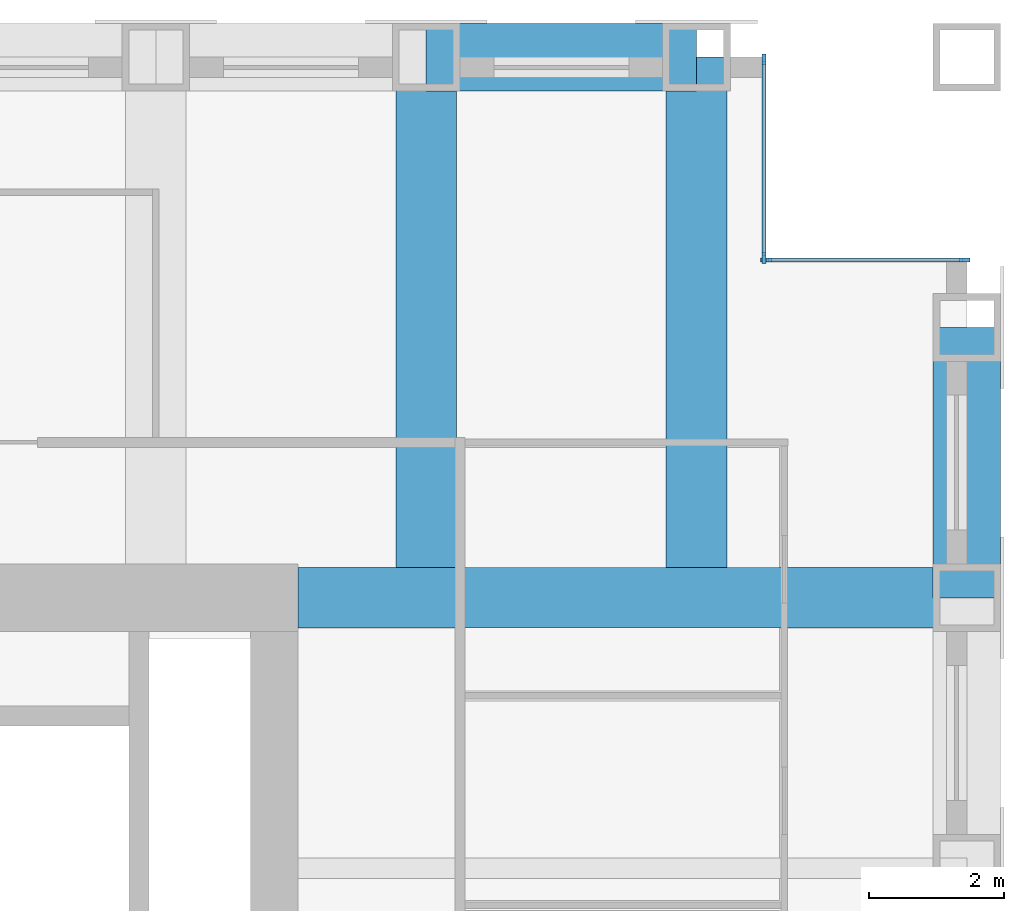
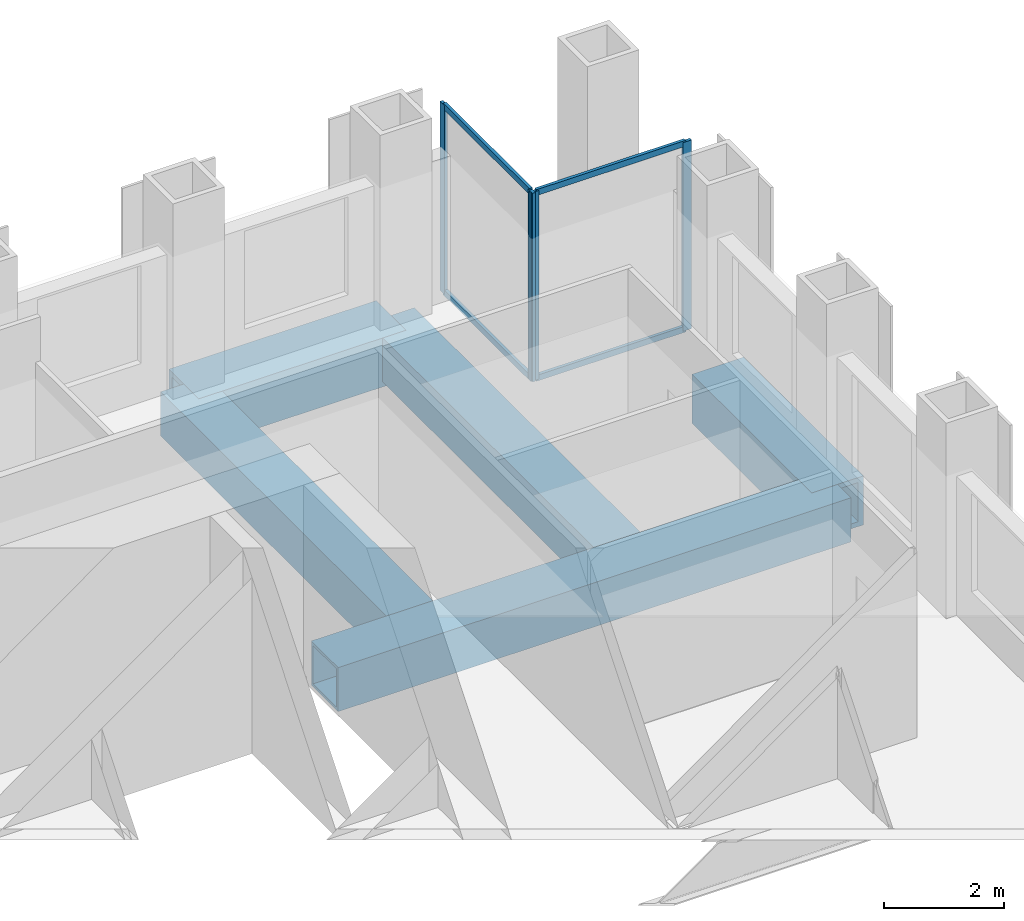
# One storey, part 6 of 13: 8 members, 5 beams, 2 elements without a shape of their own.
"""IFC4 building model written with IfcOpenShell, lengths in metres."""

from ifc_helpers import new_model, si_unit, direction, frame, origin, origin_2d, place, context, subcontext, project, spatial, rectangle, hollow_rectangle, extrude, material, material_profile, profile_set, type_object, element, aggregate, save


model = new_model("IFC4")

# Units and contexts
model_context = context("Model", 3, precision=1e-05, world=origin(), true_north=direction((0.0, 1.0)))
body_context = subcontext(model_context, "Body", "Model", "MODEL_VIEW")
ifc_project = project(units=[si_unit("LENGTHUNIT", "METRE"), si_unit("AREAUNIT", "SQUARE_METRE"), si_unit("VOLUMEUNIT", "CUBIC_METRE"), si_unit("PLANEANGLEUNIT", "RADIAN"), si_unit("MASSUNIT", "GRAM", prefix="KILO")], contexts=[model_context])

# Site, building, storey
site_placement = place(None, origin())
site = spatial("IfcSite", under=ifc_project, at=site_placement, CompositionType="ELEMENT")
building_placement = place(site_placement, origin())
building = spatial("IfcBuilding", under=site, at=building_placement, Name="Rimbunsela Tower", CompositionType="ELEMENT")
storey_placement = place(building_placement, frame((0.0, 0.0, 286.199951171875)))
storey = spatial("IfcBuildingStorey", under=building, at=storey_placement, Name="L69", CompositionType="ELEMENT", Elevation=286.199951171875)

# Beams
ifc_material_1 = material(Name="Steel BJ 55 (fy 410 MPa)", Category="steel")
ifc_material_profile_1 = material_profile(ifc_material_1, hollow_rectangle(XDim=1.0, YDim=1.0, WallThickness=0.10009765625, at=origin_2d()), Name="BOX 1000x1000x100")
ifc_profile_set_1 = profile_set([ifc_material_profile_1], Name="Steel BJ 55 (fy 410 MPa)")
beam_type_1 = type_object("IfcBeamType", Name="Beam BOX 1000x1000x100", PredefinedType="BEAM", material=ifc_profile_set_1)
for number, where, z_axis, x_axis, name in (
    (1, (38.0, 44.0, -0.64990234375), (1.0, 0.0, 0.0), (0.0, 1.0, 0.0), "Beam B3 L69"),
    (2, (46.0, 36.0, -0.64990234375), (0.0, 1.0, 0.0), (-1.0, 0.0, 0.0), "Beam B3 L69"),
):
    element("IfcBeam", number, at=place(storey_placement, frame(where, z_axis=z_axis, x_axis=x_axis)), inside=storey, type_object=beam_type_1, Name=name, PredefinedType="BEAM", context=body_context, shape_type="SweptSolid", body=[
        extrude(hollow_rectangle(XDim=1.0, YDim=1.0, WallThickness=0.10009765625, at=origin_2d()), origin(), (0.0, 0.0, 1.0), 4.0),
    ])
ifc_material_2 = material(Name="Steel BJ 55 (fy 410 MPa)", Category="steel")
ifc_material_profile_2 = material_profile(ifc_material_2, hollow_rectangle(XDim=0.89990234375, YDim=0.89990234375, WallThickness=0.06005859375, at=origin_2d()), Name="BOX 900x900x60")
ifc_profile_set_2 = profile_set([ifc_material_profile_2], Name="Steel BJ 55 (fy 410 MPa)")
beam_type_2 = type_object("IfcBeamType", Name="Beam BOX 900x900x60", PredefinedType="BEAM", material=ifc_profile_set_2)
beam_placement = place(storey_placement, frame((36.10009765625, 36.0, -0.599853515625), z_axis=(1.0, 0.0, 0.0), x_axis=(0.0, 1.0, 0.0)))
element("IfcBeam", 3, at=beam_placement, inside=storey, type_object=beam_type_2, Name="Beam B1 L69", PredefinedType="BEAM", context=body_context, shape_type="SweptSolid", body=[
    extrude(hollow_rectangle(XDim=0.89990234375, YDim=0.89990234375, WallThickness=0.06005859375, at=origin_2d()), origin(), (0.0, 0.0, 1.0), 9.89990234375),
])
for number, where, z_axis, x_axis, name in (
    (4, (38.0, 36.449951171875, -0.599853515625), (0.0, 1.0, 0.0), (-1.0, 0.0, 0.0), "Beam B1 L69"),
    (5, (42.0, 36.449951171875, -0.599853515625), (0.0, 1.0, 0.0), (-1.0, 0.0, 0.0), "Beam B1 L69"),
):
    element("IfcBeam", number, at=place(storey_placement, frame(where, z_axis=z_axis, x_axis=x_axis)), inside=storey, type_object=beam_type_2, Name=name, PredefinedType="BEAM", context=body_context, shape_type="SweptSolid", body=[
        extrude(hollow_rectangle(XDim=0.89990234375, YDim=0.89990234375, WallThickness=0.06005859375, at=origin_2d()), origin(), (0.0, 0.0, 1.0), 7.550048828125),
    ])

# Curtain wall, members
ifc_material_3 = material(Name="Aluminium curtain wall", Category="aluminium")
curtain_wall_type = type_object("IfcCurtainWallType", Name="Corner glazing", PredefinedType="USERDEFINED", material=ifc_material_3)
curtain_wall_1_placement = place(storey_placement, origin())
curtain_wall_1 = element("IfcCurtainWall", 6, at=curtain_wall_1_placement, inside=storey, type_object=curtain_wall_type, Name="Corner glazing L69", ObjectType="CORNER GLAZING", PredefinedType="USERDEFINED")
ifc_material_4 = material(Name="Aluminium mullion", Category="aluminium")
ifc_material_profile_3 = material_profile(ifc_material_4, rectangle(XDim=0.06005859375, YDim=0.159912109375, at=origin_2d()), Name="Mullion 60x160")
ifc_profile_set_3 = profile_set([ifc_material_profile_3], Name="Aluminium mullion")
member_type_1 = type_object("IfcMemberType", Name="Curtain wall mullion 60x160", PredefinedType="MULLION", material=ifc_profile_set_3)
member_1_placement = place(storey_placement, frame((45.969970703125, 41.0, 0.0), z_axis=(0.0, 0.0, 1.0), x_axis=(0.0, -1.0, 0.0)))
member_1 = element("IfcMember", 7, at=member_1_placement, type_object=member_type_1, Name="CW5 mullion 1", PredefinedType="MULLION", context=body_context, shape_type="SweptSolid", body=[
    extrude(rectangle(XDim=0.06005859375, YDim=0.159912109375, at=origin_2d()), origin(), (0.0, 0.0, 1.0), 3.85009765625),
])
member_2_placement = place(storey_placement, frame((43.030029296875, 41.0, 0.0), z_axis=(0.0, 0.0, 1.0), x_axis=(0.0, -1.0, 0.0)))
member_2 = element("IfcMember", 8, at=member_2_placement, type_object=member_type_1, Name="CW5 mullion 2", PredefinedType="MULLION", context=body_context, shape_type="SweptSolid", body=[
    extrude(rectangle(XDim=0.06005859375, YDim=0.159912109375, at=origin_2d()), origin(), (0.0, 0.0, 1.0), 3.85009765625),
])

curtain_wall_2_placement = place(storey_placement, origin())
curtain_wall_2 = element("IfcCurtainWall", 9, at=curtain_wall_2_placement, inside=storey, type_object=curtain_wall_type, Name="Corner glazing L69", ObjectType="CORNER GLAZING", PredefinedType="USERDEFINED")
member_3_placement = place(storey_placement, frame((43.0, 41.030029296875, 0.0), z_axis=(0.0, 0.0, 1.0), x_axis=(-1.0, 0.0, 0.0)))
member_3 = element("IfcMember", 10, at=member_3_placement, type_object=member_type_1, Name="CW5 mullion 1", PredefinedType="MULLION", context=body_context, shape_type="SweptSolid", body=[
    extrude(rectangle(XDim=0.06005859375, YDim=0.159912109375, at=origin_2d()), origin(), (0.0, 0.0, 1.0), 3.85009765625),
])
member_4_placement = place(storey_placement, frame((43.0, 43.969970703125, 0.0), z_axis=(0.0, 0.0, 1.0), x_axis=(-1.0, 0.0, 0.0)))
member_4 = element("IfcMember", 11, at=member_4_placement, type_object=member_type_1, Name="CW5 mullion 2", PredefinedType="MULLION", context=body_context, shape_type="SweptSolid", body=[
    extrude(rectangle(XDim=0.06005859375, YDim=0.159912109375, at=origin_2d()), origin(), (0.0, 0.0, 1.0), 3.85009765625),
])

# Member
ifc_material_5 = material(Name="Aluminium transom", Category="aluminium")
ifc_material_profile_4 = material_profile(ifc_material_5, rectangle(XDim=0.06005859375, YDim=0.1201171875, at=origin_2d()), Name="Transom 60x120")
ifc_profile_set_4 = profile_set([ifc_material_profile_4], Name="Aluminium transom")
member_type_2 = type_object("IfcMemberType", Name="Curtain wall transom 60x120", PredefinedType="USERDEFINED", material=ifc_profile_set_4)
member_5_placement = place(storey_placement, frame((45.93994140625, 41.0, 0.030029296875), z_axis=(-1.0, 0.0, 0.0), x_axis=(0.0, -1.0, 0.0)))
member_5 = element("IfcMember", 12, at=member_5_placement, type_object=member_type_2, Name="CW5 transom 1.1", ObjectType="TRANSOM", PredefinedType="USERDEFINED", context=body_context, shape_type="SweptSolid", body=[
    extrude(rectangle(XDim=0.06005859375, YDim=0.1201171875, at=origin_2d()), origin(), (0.0, 0.0, 1.0), 2.8798828125),
])

member_6_placement = place(storey_placement, frame((45.93994140625, 41.0, 3.820068359375), z_axis=(-1.0, 0.0, 0.0), x_axis=(0.0, -1.0, 0.0)))
member_6 = element("IfcMember", 13, at=member_6_placement, type_object=member_type_2, Name="CW5 transom 1.2", ObjectType="TRANSOM", PredefinedType="USERDEFINED", context=body_context, shape_type="SweptSolid", body=[
    extrude(rectangle(XDim=0.06005859375, YDim=0.1201171875, at=origin_2d()), origin(), (0.0, 0.0, 1.0), 2.8798828125),
])

aggregate(curtain_wall_1, [member_1, member_2, member_5, member_6])

member_7_placement = place(storey_placement, frame((43.0, 41.06005859375, 0.030029296875), z_axis=(0.0, 1.0, 0.0), x_axis=(-1.0, 0.0, 0.0)))
member_7 = element("IfcMember", 14, at=member_7_placement, type_object=member_type_2, Name="CW5 transom 1.1", ObjectType="TRANSOM", PredefinedType="USERDEFINED", context=body_context, shape_type="SweptSolid", body=[
    extrude(rectangle(XDim=0.06005859375, YDim=0.1201171875, at=origin_2d()), origin(), (0.0, 0.0, 1.0), 2.8798828125),
])

member_8_placement = place(storey_placement, frame((43.0, 41.06005859375, 3.820068359375), z_axis=(0.0, 1.0, 0.0), x_axis=(-1.0, 0.0, 0.0)))
member_8 = element("IfcMember", 15, at=member_8_placement, type_object=member_type_2, Name="CW5 transom 1.2", ObjectType="TRANSOM", PredefinedType="USERDEFINED", context=body_context, shape_type="SweptSolid", body=[
    extrude(rectangle(XDim=0.06005859375, YDim=0.1201171875, at=origin_2d()), origin(), (0.0, 0.0, 1.0), 2.8798828125),
])

aggregate(curtain_wall_2, [member_3, member_4, member_7, member_8])

save(model, "model.ifc")
